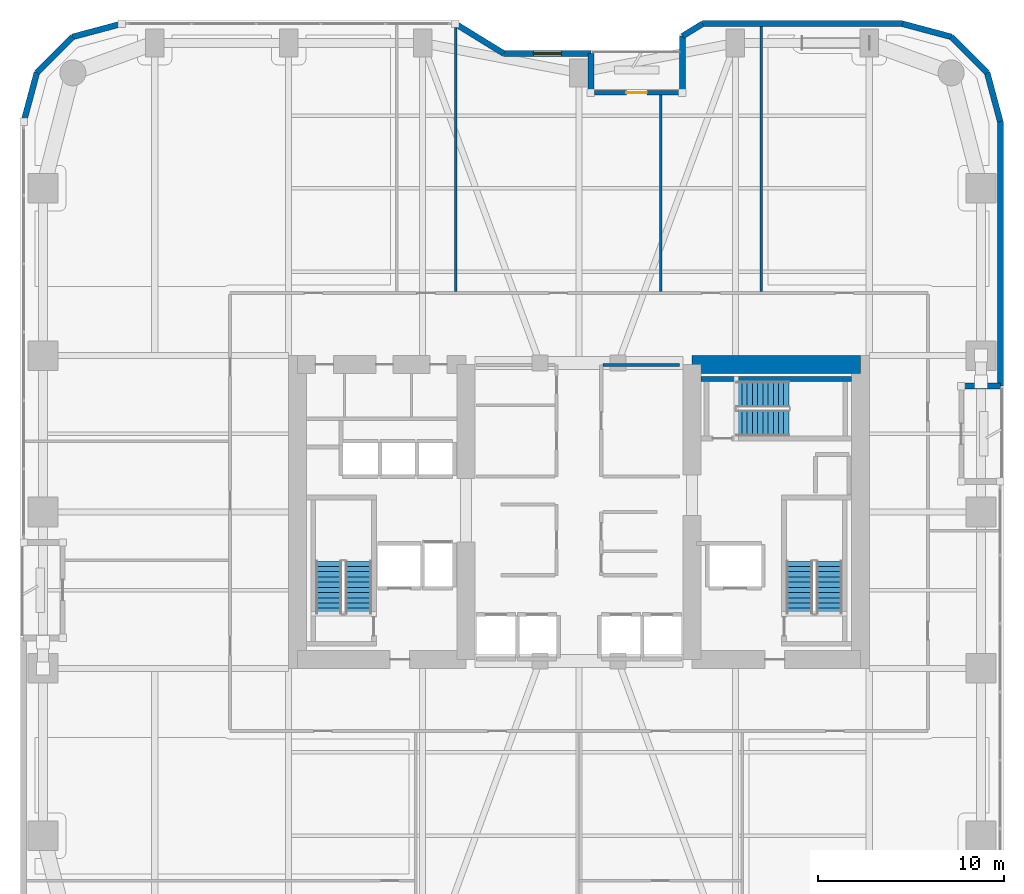
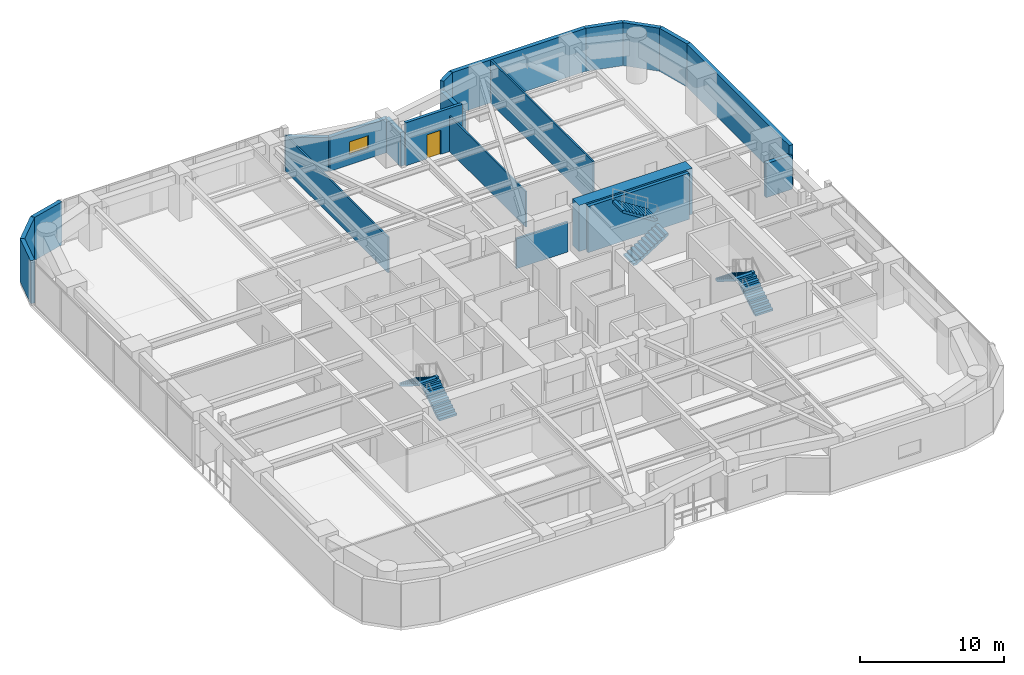
# One storey, part 21 of 24: 21 walls, 6 stair flights, 1 door, 1 window, 2 openings, 3 elements without a shape of their own.
"""IFC4 building model written with IfcOpenShell, lengths in metres."""

from ifc_helpers import new_model, si_unit, direction, frame, frame_2d, origin, place, context, subcontext, project, spatial, polyline, rectangle, outline, extrude, material, layer, layer_set, type_object, element, fill, aggregate, save


model = new_model("IFC4")

# Units and contexts
model_context = context("Model", 3, precision=1e-05, world=origin(), true_north=direction((0.0, 1.0)))
body_context = subcontext(model_context, "Body", "Model", "MODEL_VIEW")
ifc_project = project(units=[si_unit("LENGTHUNIT", "METRE"), si_unit("AREAUNIT", "SQUARE_METRE"), si_unit("VOLUMEUNIT", "CUBIC_METRE"), si_unit("PLANEANGLEUNIT", "RADIAN"), si_unit("MASSUNIT", "GRAM", prefix="KILO")], contexts=[model_context])

# Site, building, storey
site_placement = place(None, origin())
site = spatial("IfcSite", under=ifc_project, at=site_placement, CompositionType="ELEMENT")
building_placement = place(site_placement, origin())
building = spatial("IfcBuilding", under=site, at=building_placement, Name="Kiyonajd Concourse Tower", CompositionType="ELEMENT")
storey_placement = place(building_placement, frame((0.0, 0.0, 89.699951171875)))
storey = spatial("IfcBuildingStorey", under=building, at=storey_placement, Name="L23", CompositionType="ELEMENT", Elevation=89.699951171875)

# Walls
ifc_material_1 = material(Name="Concrete C80/95", Category="concrete")
ifc_layer_1 = layer(ifc_material_1, 0.949951171875)
ifc_layer_set_1 = layer_set([ifc_layer_1], Name="Concrete C80/95")
wall_type_1 = type_object("IfcWallType", Name="WL-CORE-950", PredefinedType="SHEAR", material=ifc_layer_set_1)
wall_1_placement = place(storey_placement, frame((54.074951171875, 43.925048828125, 0.0), z_axis=(0.0, 0.0, 1.0), x_axis=(1.0, 0.0, 0.0)))
element("IfcWall", 1, at=wall_1_placement, inside=storey, type_object=wall_type_1, Name="L23 East Core North Shear Wall", PredefinedType="SHEAR", context=body_context, shape_type="SweptSolid", body=[
    extrude(rectangle(XDim=9.050048828125, YDim=0.949951171875, at=frame_2d((4.52490234375, 0.0))), origin(), (0.0, 0.0, 1.0), 3.900146484375),
])
ifc_material_2 = material(Name="Precast concrete C50/60", Category="concrete")
ifc_layer_2 = layer(ifc_material_2, 0.320068359375)
ifc_layer_set_2 = layer_set([ifc_layer_2], Name="Precast concrete C50/60")
wall_type_2 = type_object("IfcWallType", Name="WL-EXT-320", PredefinedType="SOLIDWALL", material=ifc_layer_set_2)
wall_2_placement = place(storey_placement, frame((18.159912109375, 56.97900390625, 0.0), z_axis=(0.0, 0.0, 1.0), x_axis=(0.25869736047, 0.965958423373, 0.0)))
element("IfcWall", 2, at=wall_2_placement, inside=storey, type_object=wall_type_2, Name="L23 Exterior Concrete Frame Wall 06", PredefinedType="SOLIDWALL", context=body_context, shape_type="SweptSolid", body=[
    extrude(rectangle(XDim=2.731201171875, YDim=0.320068359375, at=frame_2d((1.36572265625, 0.0))), origin(), (0.0, 0.0, 1.0), 3.64013671875),
])
wall_3_placement = place(storey_placement, frame((18.866455078125, 59.6171875, 0.0), z_axis=(0.0, 0.0, 1.0), x_axis=(0.707106781187, 0.707106781187, 0.0)))
element("IfcWall", 3, at=wall_3_placement, inside=storey, type_object=wall_type_2, Name="L23 Exterior Concrete Frame Wall 07", PredefinedType="SOLIDWALL", context=body_context, shape_type="SweptSolid", body=[
    extrude(rectangle(XDim=2.7099609375, YDim=0.320068359375, at=frame_2d((1.35498046875, 0.0))), origin(), (0.0, 0.0, 1.0), 3.64013671875),
])
wall_4_placement = place(storey_placement, frame((20.78271484375, 61.533447265625, 0.0), z_axis=(0.0, 0.0, 1.0), x_axis=(0.965964405026, 0.25867502435, 0.0)))
element("IfcWall", 4, at=wall_4_placement, inside=storey, type_object=wall_type_2, Name="L23 Exterior Concrete Frame Wall 08", PredefinedType="SOLIDWALL", context=body_context, shape_type="SweptSolid", body=[
    extrude(rectangle(XDim=2.7314453125, YDim=0.320068359375, at=frame_2d((1.36572265625, 0.0))), origin(), (0.0, 0.0, 1.0), 3.64013671875),
])
wall_5_placement = place(storey_placement, frame((41.354736328125, 62.239990234375, 0.0), z_axis=(0.0, 0.0, 1.0), x_axis=(0.851630857047, -0.524142044989, 0.0)))
element("IfcWall", 5, at=wall_5_placement, inside=storey, type_object=wall_type_2, Name="L23 Exterior Concrete Frame Wall 10", PredefinedType="SOLIDWALL", context=body_context, shape_type="SweptSolid", body=[
    extrude(rectangle(XDim=3.052734375, YDim=0.320068359375, at=frame_2d((1.5263671875, 0.0))), origin(), (0.0, 0.0, 1.0), 2.875),
])

# Wall, opening, window
wall_6_placement = place(storey_placement, frame((43.95458984375, 60.639892578125, 0.0), z_axis=(0.0, 0.0, 1.0), x_axis=(1.0, 0.0, 0.0)))
wall_6 = element("IfcWall", 6, at=wall_6_placement, inside=storey, type_object=wall_type_2, Name="L23 Exterior Concrete Frame Wall 11", PredefinedType="SOLIDWALL", context=body_context, shape_type="SweptSolid", body=[
    extrude(rectangle(XDim=4.685302734375, YDim=0.320068359375, at=frame_2d((2.3427734375, 0.0))), origin(), (0.0, 0.0, 1.0), 2.875),
])
opening_1_placement = place(wall_6_placement, frame((1.593017578125, 0.0, 0.85009765625)))
opening_1 = element("IfcOpeningElement", 7, at=opening_1_placement, cuts=wall_6, Name="Opening WN2", PredefinedType="OPENING", context=body_context, shape_type="SweptSolid", body=[
    extrude(rectangle(XDim=1.5, YDim=1.10009765625, at=frame_2d((0.75, 0.550048828125))), frame((0.0, 0.169921875, 0.0), z_axis=(0.0, -1.0, 0.0), x_axis=(1.0, 0.0, 0.0)), (0.0, 0.0, 1.0), 0.340087890625),
])
ifc_material_3 = material(Name="Double Low-E Insulated Glass", Category="glass")
window_type = type_object("IfcWindowType", Name="WN-VIS-1500x1100", PartitioningType="SINGLE_PANEL", PredefinedType="WINDOW", material=ifc_material_3)
window_placement = place(opening_1_placement, origin())
window = element("IfcWindow", 8, at=window_placement, inside=storey, type_object=window_type, Name="L23 Modular Facade Vision Window 11", OverallHeight=1.10009765625, OverallWidth=1.5, PartitioningType="SINGLE_PANEL", PredefinedType="WINDOW", context=body_context, shape_type="SweptSolid", body=[
    extrude(rectangle(XDim=1.5, YDim=1.10009765625, at=frame_2d((0.75, 0.550048828125))), frame((0.0, 0.030029296875, 0.0), z_axis=(0.0, -1.0, 0.0), x_axis=(1.0, 0.0, 0.0)), (0.0, 0.0, 1.0), 0.06005859375),
])
fill(opening_1, window)

# Walls
wall_7_placement = place(storey_placement, frame((48.639892578125, 60.639892578125, 0.0), z_axis=(0.0, 0.0, 1.0), x_axis=(0.0, -1.0, 0.0)))
element("IfcWall", 9, at=wall_7_placement, inside=storey, type_object=wall_type_2, Name="L23 Exterior Concrete Frame Wall 12", PredefinedType="SOLIDWALL", context=body_context, shape_type="SweptSolid", body=[
    extrude(rectangle(XDim=2.099853515625, YDim=0.320068359375, at=frame_2d((1.0498046875, 0.0))), origin(), (0.0, 0.0, 1.0), 2.875),
])
wall_8_placement = place(storey_placement, frame((53.56005859375, 58.5400390625, 0.0), z_axis=(0.0, 0.0, 1.0), x_axis=(0.0, 1.0, 0.0)))
element("IfcWall", 10, at=wall_8_placement, inside=storey, type_object=wall_type_2, Name="L23 Exterior Concrete Frame Wall 14", PredefinedType="SOLIDWALL", context=body_context, shape_type="SweptSolid", body=[
    extrude(rectangle(XDim=3.032470703125, YDim=0.320068359375, at=frame_2d((1.51611328125, 0.0))), origin(), (0.0, 0.0, 1.0), 2.875),
])
wall_9_placement = place(storey_placement, frame((53.56005859375, 61.572509765625, 0.0), z_axis=(0.0, 0.0, 1.0), x_axis=(0.851776724646, 0.523904964045, 0.0)))
element("IfcWall", 11, at=wall_9_placement, inside=storey, type_object=wall_type_2, Name="L23 Exterior Concrete Frame Wall 15", PredefinedType="SOLIDWALL", context=body_context, shape_type="SweptSolid", body=[
    extrude(rectangle(XDim=1.274169921875, YDim=0.320068359375, at=frame_2d((0.63720703125, 0.0))), origin(), (0.0, 0.0, 1.0), 3.64013671875),
])
wall_10_placement = place(storey_placement, frame((54.645263671875, 62.239990234375, 0.0), z_axis=(0.0, 0.0, 1.0), x_axis=(1.0, 0.0, 0.0)))
element("IfcWall", 12, at=wall_10_placement, inside=storey, type_object=wall_type_2, Name="L23 Exterior Concrete Frame Wall 16", PredefinedType="SOLIDWALL", context=body_context, shape_type="SweptSolid", body=[
    extrude(rectangle(XDim=10.733642578125, YDim=0.320068359375, at=frame_2d((5.36669921875, 0.0))), origin(), (0.0, 0.0, 1.0), 3.64013671875),
])
wall_11_placement = place(storey_placement, frame((65.37890625, 62.239990234375, 0.0), z_axis=(0.0, 0.0, 1.0), x_axis=(0.965958423373, -0.25869736047, 0.0)))
element("IfcWall", 13, at=wall_11_placement, inside=storey, type_object=wall_type_2, Name="L23 Exterior Concrete Frame Wall 17", PredefinedType="SOLIDWALL", context=body_context, shape_type="SweptSolid", body=[
    extrude(rectangle(XDim=2.731201171875, YDim=0.320068359375, at=frame_2d((1.36572265625, 0.0))), origin(), (0.0, 0.0, 1.0), 3.64013671875),
])
wall_12_placement = place(storey_placement, frame((68.01708984375, 61.533447265625, 0.0), z_axis=(0.0, 0.0, 1.0), x_axis=(0.707151821269, -0.707061738235, 0.0)))
element("IfcWall", 14, at=wall_12_placement, inside=storey, type_object=wall_type_2, Name="L23 Exterior Concrete Frame Wall 18", PredefinedType="SOLIDWALL", context=body_context, shape_type="SweptSolid", body=[
    extrude(rectangle(XDim=2.710205078125, YDim=0.320068359375, at=frame_2d((1.35498046875, 0.0))), origin(), (0.0, 0.0, 1.0), 3.64013671875),
])
wall_13_placement = place(storey_placement, frame((69.93359375, 59.6171875, 0.0), z_axis=(0.0, 0.0, 1.0), x_axis=(0.258613949072, -0.965980758269, 0.0)))
element("IfcWall", 15, at=wall_13_placement, inside=storey, type_object=wall_type_2, Name="L23 Exterior Concrete Frame Wall 19", PredefinedType="SOLIDWALL", context=body_context, shape_type="SweptSolid", body=[
    extrude(rectangle(XDim=2.731201171875, YDim=0.320068359375, at=frame_2d((1.36572265625, 0.0))), origin(), (0.0, 0.0, 1.0), 3.64013671875),
])
wall_14_placement = place(storey_placement, frame((70.639892578125, 56.97900390625, 0.0), z_axis=(0.0, 0.0, 1.0), x_axis=(0.0, -1.0, 0.0)))
element("IfcWall", 16, at=wall_14_placement, inside=storey, type_object=wall_type_2, Name="L23 Exterior Concrete Frame Wall 20", PredefinedType="SOLIDWALL", context=body_context, shape_type="SweptSolid", body=[
    extrude(rectangle(XDim=14.218994140625, YDim=0.320068359375, at=frame_2d((7.109375, 0.0))), origin(), (0.0, 0.0, 1.0), 3.64013671875),
])
wall_15_placement = place(storey_placement, frame((70.639892578125, 42.760009765625, 0.0), z_axis=(0.0, 0.0, 1.0), x_axis=(-1.0, 0.0, 0.0)))
element("IfcWall", 17, at=wall_15_placement, inside=storey, type_object=wall_type_2, Name="L23 Exterior Concrete Frame Wall 21", PredefinedType="SOLIDWALL", context=body_context, shape_type="SweptSolid", body=[
    extrude(rectangle(XDim=2.099853515625, YDim=0.320068359375, at=frame_2d((1.0498046875, 0.0))), origin(), (0.0, 0.0, 1.0), 2.875),
])

# Wall, opening, door
ifc_layer_3 = layer(ifc_material_2, 0.239990234375)
ifc_layer_set_3 = layer_set([ifc_layer_3], Name="Precast concrete C50/60")
wall_type_3 = type_object("IfcWallType", Name="WL-LOG-240", PredefinedType="SOLIDWALL", material=ifc_layer_set_3)
wall_16_placement = place(storey_placement, frame((48.8349609375, 58.5400390625, 0.0), z_axis=(0.0, 0.0, 1.0), x_axis=(1.0, 0.0, 0.0)))
wall_16 = element("IfcWall", 18, at=wall_16_placement, inside=storey, type_object=wall_type_3, Name="L23 Recessed Loggia Thermal Wall LOG-N", PredefinedType="SOLIDWALL", context=body_context, shape_type="SweptSolid", body=[
    extrude(rectangle(XDim=4.530029296875, YDim=0.239990234375, at=frame_2d((2.26513671875, 0.0))), origin(), (0.0, 0.0, 1.0), 3.64013671875),
])
opening_2_placement = place(wall_16_placement, frame((1.715087890625, 0.0, 0.0)))
opening_2 = element("IfcOpeningElement", 19, at=opening_2_placement, cuts=wall_16, Name="Opening DL2", PredefinedType="OPENING", context=body_context, shape_type="SweptSolid", body=[
    extrude(rectangle(XDim=1.10009765625, YDim=2.0400390625, at=frame_2d((0.550048828125, 1.02001953125))), frame((0.0, 0.1298828125, 0.0), z_axis=(0.0, -1.0, 0.0), x_axis=(1.0, 0.0, 0.0)), (0.0, 0.0, 1.0), 0.260009765625),
])
ifc_material_4 = material(Name="Thermally Broken Anodised Aluminium", Category="aluminium")
door_type = type_object("IfcDoorType", Name="DR-LOG-1100", OperationType="NOTDEFINED", PredefinedType="DOOR", material=ifc_material_4)
door_placement = place(opening_2_placement, origin())
door = element("IfcDoor", 20, at=door_placement, inside=storey, type_object=door_type, Name="L23 Engawa Loggia Access Door LOG-N", OperationType="SINGLE_SWING_RIGHT", OverallHeight=2.0400390625, OverallWidth=1.10009765625, PredefinedType="DOOR", context=body_context, shape_type="SweptSolid", body=[
    extrude(rectangle(XDim=1.10009765625, YDim=2.0400390625, at=frame_2d((0.550048828125, 1.02001953125))), frame((0.0, 0.02490234375, 0.0), z_axis=(0.0, -1.0, 0.0), x_axis=(1.0, 0.0, 0.0)), (0.0, 0.0, 1.0), 0.050048828125),
])
fill(opening_2, door)

# Walls
ifc_material_5 = material(Name="Gypsum Board on Cold-Formed Steel Stud", Category="steel")
ifc_layer_4 = layer(ifc_material_5, 0.125)
ifc_layer_set_4 = layer_set([ifc_layer_4], Name="Gypsum Board on Cold-Formed Steel Stud")
wall_type_4 = type_object("IfcWallType", Name="WL-PART-125", PredefinedType="PARTITIONING", material=ifc_layer_set_4)
wall_17_placement = place(storey_placement, frame((41.3798828125, 47.85693359375, 0.0), z_axis=(0.0, 0.0, 1.0), x_axis=(0.0, 1.0, 0.0)))
element("IfcWall", 21, at=wall_17_placement, inside=storey, type_object=wall_type_4, Name="L23 Interior Partition Wall", PredefinedType="PARTITIONING", context=body_context, shape_type="SweptSolid", body=[
    extrude(rectangle(XDim=14.18798828125, YDim=0.125, at=frame_2d((7.093994140625, 0.0))), origin(), (0.0, 0.0, 1.0), 3.0029296875),
])
wall_18_placement = place(storey_placement, frame((52.39990234375, 47.85693359375, 0.0), z_axis=(0.0, 0.0, 1.0), x_axis=(0.0, 1.0, 0.0)))
element("IfcWall", 22, at=wall_18_placement, inside=storey, type_object=wall_type_4, Name="L23 Interior Partition Wall", PredefinedType="PARTITIONING", context=body_context, shape_type="SweptSolid", body=[
    extrude(rectangle(XDim=10.568115234375, YDim=0.125, at=frame_2d((5.2841796875, 0.0))), origin(), (0.0, 0.0, 1.0), 3.0029296875),
])
wall_19_placement = place(storey_placement, frame((57.7900390625, 47.85693359375, 0.0), z_axis=(0.0, 0.0, 1.0), x_axis=(0.0, 1.0, 0.0)))
element("IfcWall", 23, at=wall_19_placement, inside=storey, type_object=wall_type_4, Name="L23 Interior Partition Wall", PredefinedType="PARTITIONING", context=body_context, shape_type="SweptSolid", body=[
    extrude(rectangle(XDim=14.22802734375, YDim=0.125, at=frame_2d((7.114013671875, 0.0))), origin(), (0.0, 0.0, 1.0), 3.64013671875),
])
ifc_layer_5 = layer(ifc_material_5, 0.169921875)
ifc_layer_set_5 = layer_set([ifc_layer_5], Name="Gypsum Board on Cold-Formed Steel Stud")
wall_type_5 = type_object("IfcWallType", Name="WL-SMK-170", PredefinedType="PARTITIONING", material=ifc_layer_set_5)
wall_20_placement = place(storey_placement, frame((49.287109375, 43.89990234375, 0.0), z_axis=(0.0, 0.0, 1.0), x_axis=(1.0, 0.0, 0.0)))
element("IfcWall", 24, at=wall_20_placement, inside=storey, type_object=wall_type_5, Name="L23 Interior Partition Wall", PredefinedType="PARTITIONING", context=body_context, shape_type="SweptSolid", body=[
    extrude(rectangle(XDim=4.11279296875, YDim=0.169921875, at=frame_2d((2.056396484375, 0.0))), origin(), (0.0, 0.0, 1.0), 2.525146484375),
])
ifc_material_6 = material(Name="Concrete C50/60", Category="concrete")
ifc_layer_6 = layer(ifc_material_6, 0.260009765625)
ifc_layer_set_6 = layer_set([ifc_layer_6], Name="Concrete C50/60")
wall_type_6 = type_object("IfcWallType", Name="WL-STAIR-260", PredefinedType="SHEAR", material=ifc_layer_set_6)
wall_21_placement = place(storey_placement, frame((54.550048828125, 43.14990234375, 0.0), z_axis=(0.0, 0.0, 1.0), x_axis=(1.0, 0.0, 0.0)))
element("IfcWall", 25, at=wall_21_placement, inside=storey, type_object=wall_type_6, Name="L23 Stair ST3 Structural North Wall", PredefinedType="SHEAR", context=body_context, shape_type="SweptSolid", body=[
    extrude(rectangle(XDim=8.099853515625, YDim=0.260009765625, at=frame_2d((4.0498046875, 0.0))), origin(), (0.0, 0.0, 1.0), 3.900146484375),
])

# Stair, stair flights
ifc_material_7 = material(Name="Concrete C40/50", Category="concrete")
stair_type = type_object("IfcStairType", Name="ST-DLG-22R", PredefinedType="HALF_TURN_STAIR", material=ifc_material_7)
stair_1_placement = place(storey_placement, origin())
stair_1 = element("IfcStair", 26, at=stair_1_placement, inside=storey, type_object=stair_type, Name="L23 Protected Exit Stair ST1", PredefinedType="HALF_TURN_STAIR")
stair_flight_type = type_object("IfcStairFlightType", Name="SF-STR-22R", PredefinedType="STRAIGHT", material=ifc_material_7)
stair_flight_1_placement = place(storey_placement, frame((36.14990234375, 30.550048828125, 0.0), z_axis=(0.0, 0.0, 1.0), x_axis=(0.0, 1.0, 0.0)))
stair_flight_1 = element("IfcStairFlight", 27, at=stair_flight_1_placement, type_object=stair_flight_type, Name="ST1 flight 1", NumberOfRisers=11, NumberOfTreads=10, PredefinedType="STRAIGHT", RiserHeight=0.177272727, TreadLength=0.28, context=body_context, shape_type="SweptSolid", body=[
    extrude(outline(polyline([(0.0, 0.0), (0.0, 0.17724609375), (0.280029296875, 0.17724609375), (0.280029296875, 0.3544921875), (0.56005859375, 0.3544921875), (0.56005859375, 0.53173828125), (0.840087890625, 0.53173828125), (0.840087890625, 0.708984375), (1.1201171875, 0.708984375), (1.1201171875, 0.886474609375), (1.39990234375, 0.886474609375), (1.39990234375, 1.063720703125), (1.679931640625, 1.063720703125), (1.679931640625, 1.240966796875), (1.9599609375, 1.240966796875), (1.9599609375, 1.418212890625), (2.239990234375, 1.418212890625), (2.239990234375, 1.595458984375), (2.52001953125, 1.595458984375), (2.52001953125, 1.772705078125), (2.800048828125, 1.772705078125), (2.800048828125, 1.949951171875), (2.800048828125, 1.59521484375), (0.2802734375, 0.0), (0.0, 0.0)])), frame((0.0, 0.699951171875, 0.0), z_axis=(0.0, -1.0, 0.0), x_axis=(1.0, 0.0, 0.0)), (0.0, 0.0, 1.0), 1.39990234375),
])
stair_flight_2_placement = place(storey_placement, frame((34.550048828125, 33.35009765625, 1.949951171875), z_axis=(0.0, 0.0, 1.0), x_axis=(0.0, -1.0, 0.0)))
stair_flight_2 = element("IfcStairFlight", 28, at=stair_flight_2_placement, type_object=stair_flight_type, Name="ST1 flight 2", NumberOfRisers=11, NumberOfTreads=10, PredefinedType="STRAIGHT", RiserHeight=0.177272727, TreadLength=0.28, context=body_context, shape_type="SweptSolid", body=[
    extrude(outline(polyline([(0.0, 0.0), (0.0, 0.17724609375), (0.280029296875, 0.17724609375), (0.280029296875, 0.3544921875), (0.56005859375, 0.3544921875), (0.56005859375, 0.53173828125), (0.840087890625, 0.53173828125), (0.840087890625, 0.708984375), (1.1201171875, 0.708984375), (1.1201171875, 0.886474609375), (1.39990234375, 0.886474609375), (1.39990234375, 1.063720703125), (1.679931640625, 1.063720703125), (1.679931640625, 1.240966796875), (1.9599609375, 1.240966796875), (1.9599609375, 1.418212890625), (2.239990234375, 1.418212890625), (2.239990234375, 1.595458984375), (2.52001953125, 1.595458984375), (2.52001953125, 1.772705078125), (2.800048828125, 1.772705078125), (2.800048828125, 1.949951171875), (2.800048828125, 1.59521484375), (0.2802734375, 0.0), (0.0, 0.0)])), frame((0.0, 0.699951171875, 0.0), z_axis=(0.0, -1.0, 0.0), x_axis=(1.0, 0.0, 0.0)), (0.0, 0.0, 1.0), 1.39990234375),
])
aggregate(stair_1, [stair_flight_1, stair_flight_2])

stair_2_placement = place(storey_placement, origin())
stair_2 = element("IfcStair", 29, at=stair_2_placement, inside=storey, type_object=stair_type, Name="L23 Protected Exit Stair ST2", PredefinedType="HALF_TURN_STAIR")
stair_flight_3_placement = place(storey_placement, frame((61.449951171875, 30.550048828125, 0.0), z_axis=(0.0, 0.0, 1.0), x_axis=(0.0, 1.0, 0.0)))
stair_flight_3 = element("IfcStairFlight", 30, at=stair_flight_3_placement, type_object=stair_flight_type, Name="ST2 flight 1", NumberOfRisers=11, NumberOfTreads=10, PredefinedType="STRAIGHT", RiserHeight=0.177272727, TreadLength=0.28, context=body_context, shape_type="SweptSolid", body=[
    extrude(outline(polyline([(0.0, 0.0), (0.0, 0.17724609375), (0.280029296875, 0.17724609375), (0.280029296875, 0.3544921875), (0.56005859375, 0.3544921875), (0.56005859375, 0.53173828125), (0.840087890625, 0.53173828125), (0.840087890625, 0.708984375), (1.1201171875, 0.708984375), (1.1201171875, 0.886474609375), (1.39990234375, 0.886474609375), (1.39990234375, 1.063720703125), (1.679931640625, 1.063720703125), (1.679931640625, 1.240966796875), (1.9599609375, 1.240966796875), (1.9599609375, 1.418212890625), (2.239990234375, 1.418212890625), (2.239990234375, 1.595458984375), (2.52001953125, 1.595458984375), (2.52001953125, 1.772705078125), (2.800048828125, 1.772705078125), (2.800048828125, 1.949951171875), (2.800048828125, 1.59521484375), (0.2802734375, 0.0), (0.0, 0.0)])), frame((0.0, 0.699951171875, 0.0), z_axis=(0.0, -1.0, 0.0), x_axis=(1.0, 0.0, 0.0)), (0.0, 0.0, 1.0), 1.39990234375),
])
stair_flight_4_placement = place(storey_placement, frame((59.85009765625, 33.35009765625, 1.949951171875), z_axis=(0.0, 0.0, 1.0), x_axis=(0.0, -1.0, 0.0)))
stair_flight_4 = element("IfcStairFlight", 31, at=stair_flight_4_placement, type_object=stair_flight_type, Name="ST2 flight 2", NumberOfRisers=11, NumberOfTreads=10, PredefinedType="STRAIGHT", RiserHeight=0.177272727, TreadLength=0.28, context=body_context, shape_type="SweptSolid", body=[
    extrude(outline(polyline([(0.0, 0.0), (0.0, 0.17724609375), (0.280029296875, 0.17724609375), (0.280029296875, 0.3544921875), (0.56005859375, 0.3544921875), (0.56005859375, 0.53173828125), (0.840087890625, 0.53173828125), (0.840087890625, 0.708984375), (1.1201171875, 0.708984375), (1.1201171875, 0.886474609375), (1.39990234375, 0.886474609375), (1.39990234375, 1.063720703125), (1.679931640625, 1.063720703125), (1.679931640625, 1.240966796875), (1.9599609375, 1.240966796875), (1.9599609375, 1.418212890625), (2.239990234375, 1.418212890625), (2.239990234375, 1.595458984375), (2.52001953125, 1.595458984375), (2.52001953125, 1.772705078125), (2.800048828125, 1.772705078125), (2.800048828125, 1.949951171875), (2.800048828125, 1.59521484375), (0.2802734375, 0.0), (0.0, 0.0)])), frame((0.0, 0.699951171875, 0.0), z_axis=(0.0, -1.0, 0.0), x_axis=(1.0, 0.0, 0.0)), (0.0, 0.0, 1.0), 1.39990234375),
])
aggregate(stair_2, [stair_flight_3, stair_flight_4])

stair_3_placement = place(storey_placement, origin())
stair_3 = element("IfcStair", 32, at=stair_3_placement, inside=storey, type_object=stair_type, Name="L23 Protected Exit Stair ST3", PredefinedType="HALF_TURN_STAIR")
stair_flight_5_placement = place(storey_placement, frame((56.47998046875, 40.780029296875, 0.0), z_axis=(0.0, 0.0, 1.0), x_axis=(1.0, 0.0, 0.0)))
stair_flight_5 = element("IfcStairFlight", 33, at=stair_flight_5_placement, type_object=stair_flight_type, Name="ST3 flight 1", NumberOfRisers=11, NumberOfTreads=10, PredefinedType="STRAIGHT", RiserHeight=0.177272727, TreadLength=0.28, context=body_context, shape_type="SweptSolid", body=[
    extrude(outline(polyline([(0.0, 0.0), (0.0, 0.17724609375), (0.280029296875, 0.17724609375), (0.280029296875, 0.3544921875), (0.56005859375, 0.3544921875), (0.56005859375, 0.53173828125), (0.840087890625, 0.53173828125), (0.840087890625, 0.708984375), (1.1201171875, 0.708984375), (1.1201171875, 0.886474609375), (1.39990234375, 0.886474609375), (1.39990234375, 1.063720703125), (1.679931640625, 1.063720703125), (1.679931640625, 1.240966796875), (1.9599609375, 1.240966796875), (1.9599609375, 1.418212890625), (2.239990234375, 1.418212890625), (2.239990234375, 1.595458984375), (2.52001953125, 1.595458984375), (2.52001953125, 1.772705078125), (2.800048828125, 1.772705078125), (2.800048828125, 1.949951171875), (2.800048828125, 1.59521484375), (0.2802734375, 0.0), (0.0, 0.0)])), frame((0.0, 0.699951171875, 0.0), z_axis=(0.0, -1.0, 0.0), x_axis=(1.0, 0.0, 0.0)), (0.0, 0.0, 1.0), 1.39990234375),
])
stair_flight_6_placement = place(storey_placement, frame((59.280029296875, 42.320068359375, 1.949951171875), z_axis=(0.0, 0.0, 1.0), x_axis=(-1.0, 0.0, 0.0)))
stair_flight_6 = element("IfcStairFlight", 34, at=stair_flight_6_placement, type_object=stair_flight_type, Name="ST3 flight 2", NumberOfRisers=11, NumberOfTreads=10, PredefinedType="STRAIGHT", RiserHeight=0.177272727, TreadLength=0.28, context=body_context, shape_type="SweptSolid", body=[
    extrude(outline(polyline([(0.0, 0.0), (0.0, 0.17724609375), (0.280029296875, 0.17724609375), (0.280029296875, 0.3544921875), (0.56005859375, 0.3544921875), (0.56005859375, 0.53173828125), (0.840087890625, 0.53173828125), (0.840087890625, 0.708984375), (1.1201171875, 0.708984375), (1.1201171875, 0.886474609375), (1.39990234375, 0.886474609375), (1.39990234375, 1.063720703125), (1.679931640625, 1.063720703125), (1.679931640625, 1.240966796875), (1.9599609375, 1.240966796875), (1.9599609375, 1.418212890625), (2.239990234375, 1.418212890625), (2.239990234375, 1.595458984375), (2.52001953125, 1.595458984375), (2.52001953125, 1.772705078125), (2.800048828125, 1.772705078125), (2.800048828125, 1.949951171875), (2.800048828125, 1.59521484375), (0.2802734375, 0.0), (0.0, 0.0)])), frame((0.0, 0.699951171875, 0.0), z_axis=(0.0, -1.0, 0.0), x_axis=(1.0, 0.0, 0.0)), (0.0, 0.0, 1.0), 1.39990234375),
])
aggregate(stair_3, [stair_flight_5, stair_flight_6])

save(model, "model.ifc")
